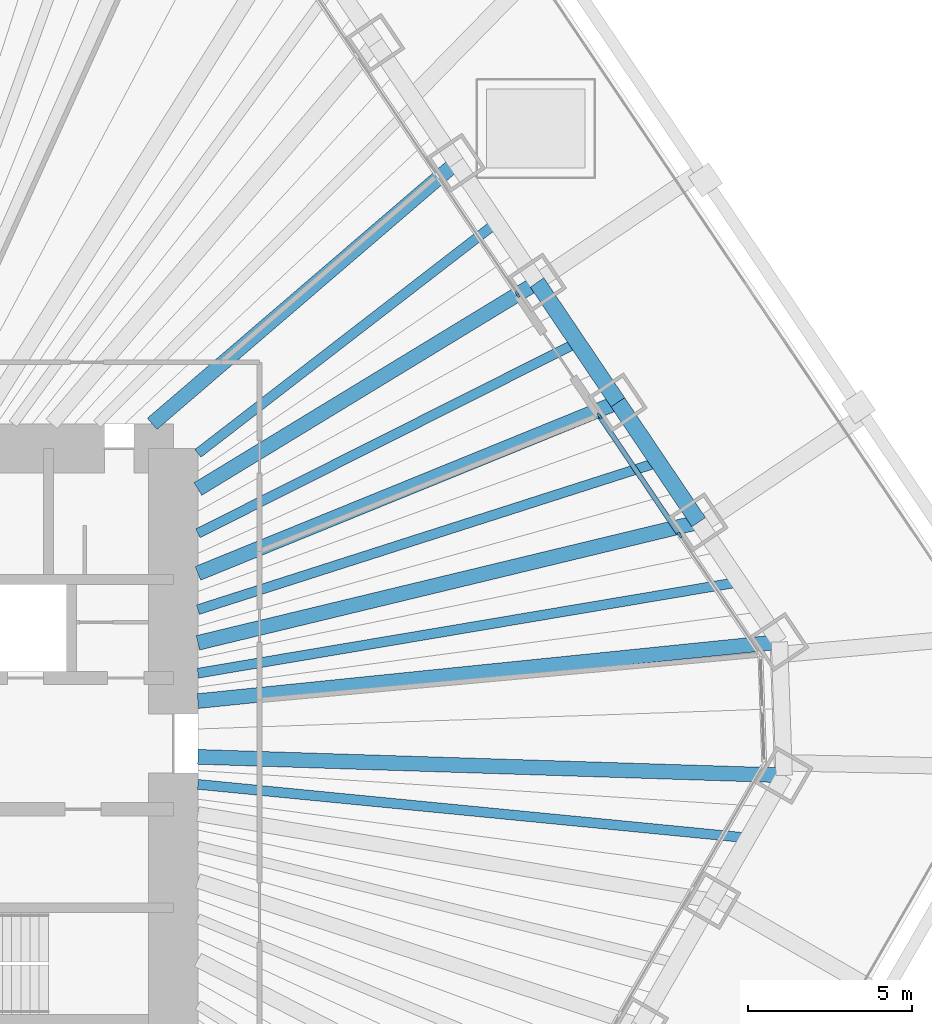
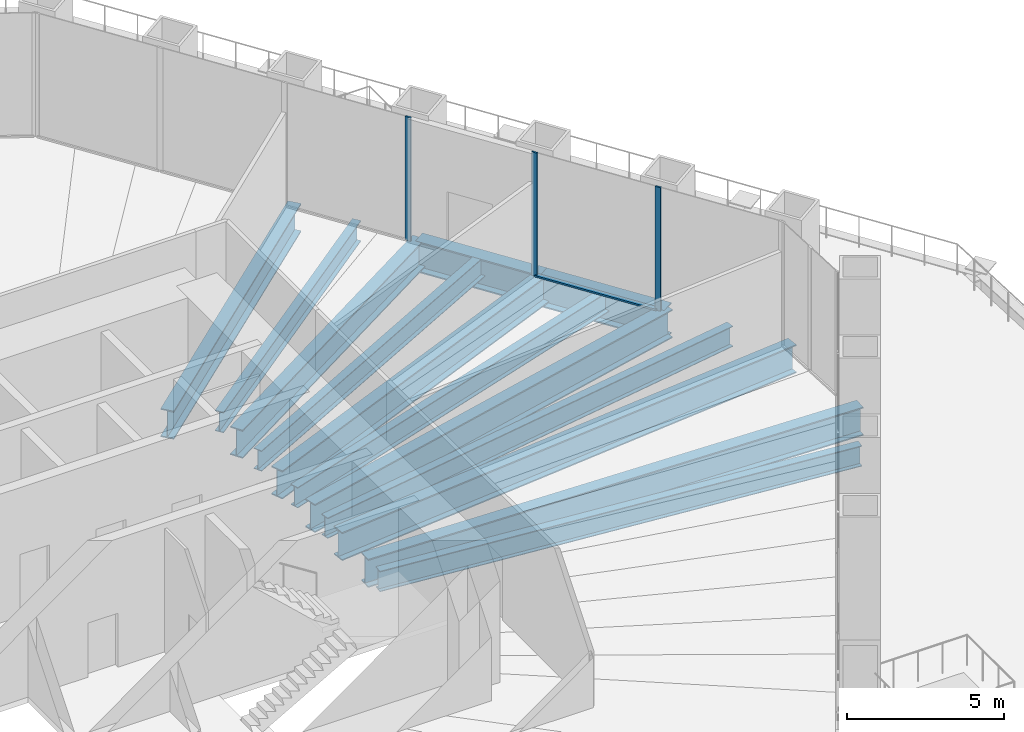
# One storey, part 8 of 20: 13 beams, 4 members, 2 elements without a shape of their own.
"""IFC4 building model written with IfcOpenShell, lengths in metres."""

from ifc_helpers import new_model, si_unit, direction, frame, origin, origin_2d, place, context, subcontext, project, spatial, rectangle, i_section, extrude, material, material_profile, profile_set, type_object, element, aggregate, save


model = new_model("IFC4")

# Units and contexts
model_context = context("Model", 3, precision=1e-05, world=origin(), true_north=direction((0.0, 1.0)))
body_context = subcontext(model_context, "Body", "Model", "MODEL_VIEW")
ifc_project = project(units=[si_unit("LENGTHUNIT", "METRE"), si_unit("AREAUNIT", "SQUARE_METRE"), si_unit("VOLUMEUNIT", "CUBIC_METRE"), si_unit("PLANEANGLEUNIT", "RADIAN"), si_unit("MASSUNIT", "GRAM", prefix="KILO")], contexts=[model_context])

# Site, building, storey
site_placement = place(None, origin())
site = spatial("IfcSite", under=ifc_project, at=site_placement, CompositionType="ELEMENT")
building_placement = place(site_placement, origin())
building = spatial("IfcBuilding", under=site, at=building_placement, Name="Qingtian Harvest Tower", CompositionType="ELEMENT")
storey_placement = place(building_placement, frame((0.0, 0.0, 17.0)))
storey = spatial("IfcBuildingStorey", under=building, at=storey_placement, Name="L03", CompositionType="ELEMENT", Elevation=17.0)

# Beams
ifc_material_1 = material(Name="Steel SM570MC", Category="steel")
ifc_material_profile_1 = material_profile(ifc_material_1, i_section(OverallWidth=0.449951171875, OverallDepth=1.10009765625, WebThickness=0.02197265625, FlangeThickness=0.044921875, at=origin_2d()), Name="H1100x450x22x45")
ifc_profile_set_1 = profile_set([ifc_material_profile_1], Name="Steel SM570MC")
beam_type_1 = type_object("IfcBeamType", Name="Corner floor beam FB8 H1100x450x22x45", PredefinedType="BEAM", material=ifc_profile_set_1)
beam_1_placement = place(storey_placement, frame((30.476318359375, 3.100830078125, -0.85009765625), z_axis=(-0.994864371567, -0.101217005423, 0.0), x_axis=(0.101217005423, -0.994864371567, 0.0)))
element("IfcBeam", 1, at=beam_1_placement, inside=storey, type_object=beam_type_1, Name="Floor beam FB8 NE6", PredefinedType="BEAM", context=body_context, shape_type="SweptSolid", body=[
    extrude(i_section(OverallWidth=0.449951171875, OverallDepth=1.10009765625, WebThickness=0.02197265625, FlangeThickness=0.044921875, at=origin_2d()), origin(), (0.0, 0.0, 1.0), 17.81787109375),
])
beam_2_placement = place(storey_placement, frame((30.618408203125, -0.96728515625, -0.85009765625), z_axis=(-0.999501426546, 0.031573696842, 0.0), x_axis=(-0.031573696842, -0.999501426546, 0.0)))
element("IfcBeam", 2, at=beam_2_placement, inside=storey, type_object=beam_type_1, Name="Floor beam FB8 SE0", PredefinedType="BEAM", context=body_context, shape_type="SweptSolid", body=[
    extrude(i_section(OverallWidth=0.449951171875, OverallDepth=1.10009765625, WebThickness=0.02197265625, FlangeThickness=0.044921875, at=origin_2d()), origin(), (0.0, 0.0, 1.0), 17.87744140625),
])
ifc_material_2 = material(Name="Steel SM570MC", Category="steel")
ifc_material_profile_2 = material_profile(ifc_material_2, i_section(OverallWidth=0.449951171875, OverallDepth=1.10009765625, WebThickness=0.02197265625, FlangeThickness=0.044921875, at=origin_2d()), Name="H1100x450x22x45")
ifc_profile_set_2 = profile_set([ifc_material_profile_2], Name="Steel SM570MC")
beam_type_2 = type_object("IfcBeamType", Name="Floor beam FB1 H1100x450x22x45", PredefinedType="BEAM", material=ifc_profile_set_2)
beam_3_placement = place(storey_placement, frame((20.624267578125, 17.70703125, -0.85009765625), z_axis=(-0.75873153072, -0.651403457384, 0.0), x_axis=(0.651403457384, -0.75873153072, 0.0)))
element("IfcBeam", 3, at=beam_3_placement, inside=storey, type_object=beam_type_2, Name="Floor beam FB1 NE2", PredefinedType="BEAM", context=body_context, shape_type="SweptSolid", body=[
    extrude(i_section(OverallWidth=0.449951171875, OverallDepth=1.10009765625, WebThickness=0.02197265625, FlangeThickness=0.044921875, at=origin_2d()), origin(), (0.0, 0.0, 1.0), 12.21533203125),
])
beam_4_placement = place(storey_placement, frame((23.08740234375, 14.0556640625, -0.85009765625), z_axis=(-0.854157261259, -0.520014781558, 0.0), x_axis=(0.520014781558, -0.854157261259, 0.0)))
element("IfcBeam", 4, at=beam_4_placement, inside=storey, type_object=beam_type_2, Name="Floor beam FB1 NE3", PredefinedType="BEAM", context=body_context, shape_type="SweptSolid", body=[
    extrude(i_section(OverallWidth=0.449951171875, OverallDepth=1.10009765625, WebThickness=0.02197265625, FlangeThickness=0.044921875, at=origin_2d()), origin(), (0.0, 0.0, 1.0), 12.1025390625),
])
beam_5_placement = place(storey_placement, frame((25.55029296875, 10.404052734375, -0.85009765625), z_axis=(-0.926156354735, -0.37713977062, 0.0), x_axis=(0.37713977062, -0.926156354735, 0.0)))
element("IfcBeam", 5, at=beam_5_placement, inside=storey, type_object=beam_type_2, Name="Floor beam FB1 NE4", PredefinedType="BEAM", context=body_context, shape_type="SweptSolid", body=[
    extrude(i_section(OverallWidth=0.449951171875, OverallDepth=1.10009765625, WebThickness=0.02197265625, FlangeThickness=0.044921875, at=origin_2d()), origin(), (0.0, 0.0, 1.0), 13.82080078125),
])
beam_6_placement = place(storey_placement, frame((28.013427734375, 6.75244140625, -0.85009765625), z_axis=(-0.972155908389, -0.234334994792, 0.0), x_axis=(0.234334994792, -0.972155908389, 0.0)))
element("IfcBeam", 6, at=beam_6_placement, inside=storey, type_object=beam_type_2, Name="Floor beam FB1 NE5", PredefinedType="BEAM", context=body_context, shape_type="SweptSolid", body=[
    extrude(i_section(OverallWidth=0.449951171875, OverallDepth=1.10009765625, WebThickness=0.02197265625, FlangeThickness=0.044921875, at=origin_2d()), origin(), (0.0, 0.0, 1.0), 15.70068359375),
])
ifc_material_3 = material(Name="Steel SN490B", Category="steel")
ifc_material_profile_3 = material_profile(ifc_material_3, i_section(OverallWidth=0.300048828125, OverallDepth=0.800048828125, WebThickness=0.013916015625, FlangeThickness=0.02587890625, at=origin_2d()), Name="H800x300x14x26")
ifc_profile_set_3 = profile_set([ifc_material_profile_3], Name="Steel SN490B")
beam_type_3 = type_object("IfcBeamType", Name="Floor joist J1 H800x300x14x26", PredefinedType="JOIST", material=ifc_profile_set_3)
beam_7_placement = place(storey_placement, frame((21.855712890625, 15.88134765625, -0.699951171875), z_axis=(-0.79149450594, -0.611176281499, 0.0), x_axis=(0.611176281499, -0.79149450594, 0.0)))
element("IfcBeam", 7, at=beam_7_placement, inside=storey, type_object=beam_type_3, Name="Floor joist J1 NE2", PredefinedType="JOIST", context=body_context, shape_type="SweptSolid", body=[
    extrude(i_section(OverallWidth=0.300048828125, OverallDepth=0.800048828125, WebThickness=0.013916015625, FlangeThickness=0.02587890625, at=origin_2d()), origin(), (0.0, 0.0, 1.0), 11.50439453125),
])
beam_8_placement = place(storey_placement, frame((24.31884765625, 12.229736328125, -0.699951171875), z_axis=(-0.893391632689, -0.449278744924, 0.0), x_axis=(0.449278744924, -0.893391632689, 0.0)))
element("IfcBeam", 8, at=beam_8_placement, inside=storey, type_object=beam_type_3, Name="Floor joist J1 NE3", PredefinedType="JOIST", context=body_context, shape_type="SweptSolid", body=[
    extrude(i_section(OverallWidth=0.300048828125, OverallDepth=0.800048828125, WebThickness=0.013916015625, FlangeThickness=0.02587890625, at=origin_2d()), origin(), (0.0, 0.0, 1.0), 12.949462890625),
])
beam_9_placement = place(storey_placement, frame((26.78173828125, 8.578125, -0.699951171875), z_axis=(-0.952340804978, -0.305036048976, 0.0), x_axis=(0.305036048976, -0.952340804978, 0.0)))
element("IfcBeam", 9, at=beam_9_placement, inside=storey, type_object=beam_type_3, Name="Floor joist J1 NE4", PredefinedType="JOIST", context=body_context, shape_type="SweptSolid", body=[
    extrude(i_section(OverallWidth=0.300048828125, OverallDepth=0.800048828125, WebThickness=0.013916015625, FlangeThickness=0.02587890625, at=origin_2d()), origin(), (0.0, 0.0, 1.0), 14.73388671875),
])
beam_10_placement = place(storey_placement, frame((29.244873046875, 4.926513671875, -0.699951171875), z_axis=(-0.986107238024, -0.166109948877, 0.0), x_axis=(0.166109948877, -0.986107238024, 0.0)))
element("IfcBeam", 10, at=beam_10_placement, inside=storey, type_object=beam_type_3, Name="Floor joist J1 NE5", PredefinedType="JOIST", context=body_context, shape_type="SweptSolid", body=[
    extrude(i_section(OverallWidth=0.300048828125, OverallDepth=0.800048828125, WebThickness=0.013916015625, FlangeThickness=0.02587890625, at=origin_2d()), origin(), (0.0, 0.0, 1.0), 16.727294921875),
])
beam_11_placement = place(storey_placement, frame((29.517333984375, -2.87451171875, -0.699951171875), z_axis=(-0.995291970786, 0.096922097011, 0.0), x_axis=(-0.096922097011, -0.995291970786, 0.0)))
element("IfcBeam", 11, at=beam_11_placement, inside=storey, type_object=beam_type_3, Name="Floor joist J1 SE0", PredefinedType="JOIST", context=body_context, shape_type="SweptSolid", body=[
    extrude(i_section(OverallWidth=0.300048828125, OverallDepth=0.800048828125, WebThickness=0.013916015625, FlangeThickness=0.02587890625, at=origin_2d()), origin(), (0.0, 0.0, 1.0), 16.8466796875),
])

# Curtain wall, member
ifc_material_4 = material(Name="Bronze-anodised aluminium curtain wall", Category="aluminium")
curtain_wall_type = type_object("IfcCurtainWallType", Name="Curtain wall CW2 farm reception", PredefinedType="USERDEFINED", material=ifc_material_4)
curtain_wall_1_placement = place(storey_placement, origin())
curtain_wall_1 = element("IfcCurtainWall", 12, at=curtain_wall_1_placement, inside=storey, type_object=curtain_wall_type, Name="Curtain wall CW2 L03 NE0-2", ObjectType="RECESSED CURTAIN WALL", PredefinedType="USERDEFINED")
ifc_material_5 = material(Name="Bronze-anodised aluminium mullion", Category="aluminium")
ifc_material_profile_4 = material_profile(ifc_material_5, rectangle(XDim=0.06494140625, YDim=0.199951171875, at=origin_2d()), Name="AL 65x200")
ifc_profile_set_4 = profile_set([ifc_material_profile_4], Name="Bronze-anodised aluminium mullion")
member_type_1 = type_object("IfcMemberType", Name="Mullion CWM 65x200", PredefinedType="MULLION", material=ifc_profile_set_4)
member_1_placement = place(storey_placement, frame((22.48876953125, 13.691162109375, 0.0), z_axis=(0.0, 0.0, 1.0), x_axis=(0.829037572555, 0.559192903471, 0.0)))
member_1 = element("IfcMember", 13, at=member_1_placement, type_object=member_type_1, Name="CW2 mullion 4", PredefinedType="MULLION", context=body_context, shape_type="SweptSolid", body=[
    extrude(rectangle(XDim=0.06494140625, YDim=0.199951171875, at=origin_2d()), origin(), (0.0, 0.0, 1.0), 4.800048828125),
])
aggregate(curtain_wall_1, [member_1])

# Curtain wall, members
curtain_wall_2_placement = place(storey_placement, origin())
curtain_wall_2 = element("IfcCurtainWall", 14, at=curtain_wall_2_placement, inside=storey, type_object=curtain_wall_type, Name="Curtain wall CW2 L03 NE4-5", ObjectType="RECESSED CURTAIN WALL", PredefinedType="USERDEFINED")
member_2_placement = place(storey_placement, frame((24.98828125, 9.985595703125, 0.0), z_axis=(0.0, 0.0, 1.0), x_axis=(0.829037572555, 0.559192903471, 0.0)))
member_2 = element("IfcMember", 15, at=member_2_placement, type_object=member_type_1, Name="CW2 mullion 1", PredefinedType="MULLION", context=body_context, shape_type="SweptSolid", body=[
    extrude(rectangle(XDim=0.06494140625, YDim=0.199951171875, at=origin_2d()), origin(), (0.0, 0.0, 1.0), 4.800048828125),
])
member_3_placement = place(storey_placement, frame((27.43310546875, 6.36083984375, 0.0), z_axis=(0.0, 0.0, 1.0), x_axis=(0.829037572555, 0.559192903471, 0.0)))
member_3 = element("IfcMember", 16, at=member_3_placement, type_object=member_type_1, Name="CW2 mullion 2", PredefinedType="MULLION", context=body_context, shape_type="SweptSolid", body=[
    extrude(rectangle(XDim=0.06494140625, YDim=0.199951171875, at=origin_2d()), origin(), (0.0, 0.0, 1.0), 4.800048828125),
])

# Beams
ifc_material_6 = material(Name="Steel SM570MC", Category="steel")
ifc_material_profile_5 = material_profile(ifc_material_6, i_section(OverallWidth=0.5, OverallDepth=1.199951171875, WebThickness=0.02490234375, FlangeThickness=0.050048828125, at=origin_2d()), Name="H1200x500x25x50")
ifc_profile_set_5 = profile_set([ifc_material_profile_5], Name="Steel SM570MC")
beam_type_4 = type_object("IfcBeamType", Name="Spandrel beam SB1 H1200x500x25x50", PredefinedType="SPANDREL", material=ifc_profile_set_5)
beam_12_placement = place(storey_placement, frame((23.08740234375, 14.0556640625, -0.89990234375), z_axis=(0.559169135272, -0.829053603912, 0.0), x_axis=(0.829053603912, 0.559169135272, 0.0)))
element("IfcBeam", 17, at=beam_12_placement, inside=storey, type_object=beam_type_4, Name="Spandrel SB1 NE3", PredefinedType="SPANDREL", context=body_context, shape_type="SweptSolid", body=[
    extrude(i_section(OverallWidth=0.5, OverallDepth=1.199951171875, WebThickness=0.02490234375, FlangeThickness=0.050048828125, at=origin_2d()), origin(), (0.0, 0.0, 1.0), 4.404541015625),
])
beam_13_placement = place(storey_placement, frame((25.55029296875, 10.404052734375, -0.89990234375), z_axis=(0.559207231603, -0.829027907928, 0.0), x_axis=(0.829027907928, 0.559207231603, 0.0)))
element("IfcBeam", 18, at=beam_13_placement, inside=storey, type_object=beam_type_4, Name="Spandrel SB1 NE4", PredefinedType="SPANDREL", context=body_context, shape_type="SweptSolid", body=[
    extrude(i_section(OverallWidth=0.5, OverallDepth=1.199951171875, WebThickness=0.02490234375, FlangeThickness=0.050048828125, at=origin_2d()), origin(), (0.0, 0.0, 1.0), 4.40478515625),
])

# Member
ifc_material_7 = material(Name="Bronze-anodised aluminium transom", Category="aluminium")
ifc_material_profile_6 = material_profile(ifc_material_7, rectangle(XDim=0.14990234375, YDim=0.06494140625, at=origin_2d()), Name="AL 65x150")
ifc_profile_set_6 = profile_set([ifc_material_profile_6], Name="Bronze-anodised aluminium transom")
member_type_2 = type_object("IfcMemberType", Name="Transom CWT 65x150", PredefinedType="USERDEFINED", material=ifc_profile_set_6)
member_4_placement = place(storey_placement, frame((25.00634765625, 9.958740234375, 0.032470703125), z_axis=(0.559178817275, -0.82904707364, 0.0), x_axis=(0.82904707364, 0.559178817275, 0.0)))
member_4 = element("IfcMember", 19, at=member_4_placement, type_object=member_type_2, Name="CW2 transom 1.1", ObjectType="TRANSOM", PredefinedType="USERDEFINED", context=body_context, shape_type="SweptSolid", body=[
    extrude(rectangle(XDim=0.14990234375, YDim=0.06494140625, at=origin_2d()), origin(), (0.0, 0.0, 1.0), 4.30712890625),
])

aggregate(curtain_wall_2, [member_2, member_3, member_4])

save(model, "model.ifc")
